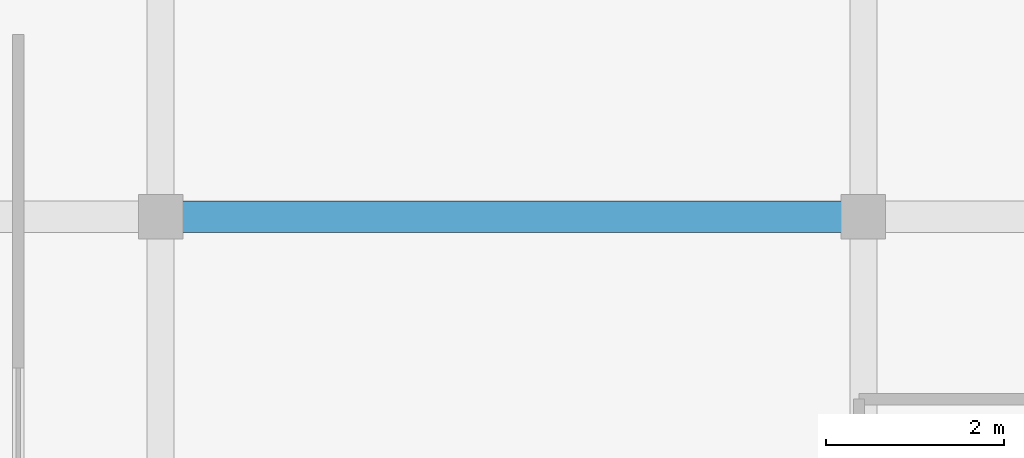
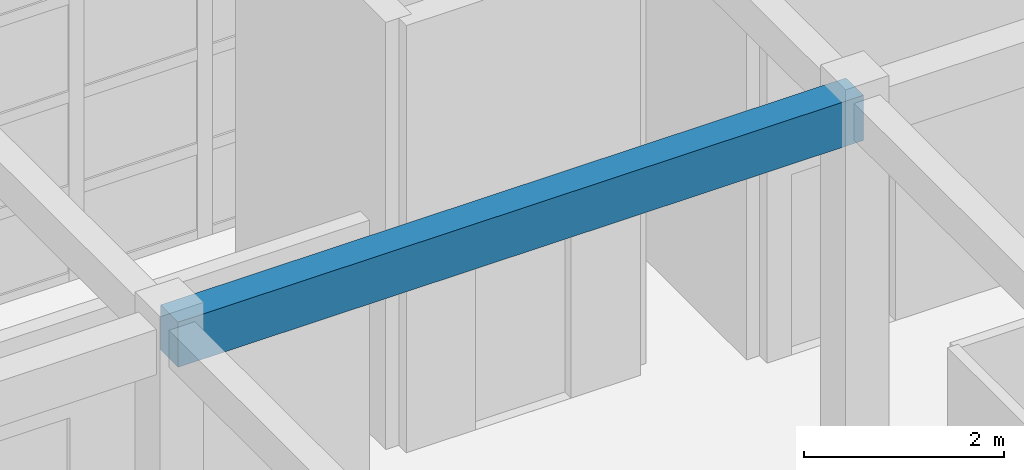
# One storey, part 9 of 103: 1 beam.
"""IFC4 building model written with IfcOpenShell, lengths in metres."""

from ifc_helpers import new_model, si_unit, direction, frame, origin, origin_2d, place, context, subcontext, project, spatial, rectangle, extrude, material, material_profile, profile_set, type_object, element, save


model = new_model("IFC4")

# Units and contexts
model_context = context("Model", 3, precision=1e-05, world=origin(), true_north=direction((0.0, 1.0)))
body_context = subcontext(model_context, "Body", "Model", "MODEL_VIEW")
ifc_project = project(units=[si_unit("LENGTHUNIT", "METRE"), si_unit("AREAUNIT", "SQUARE_METRE"), si_unit("VOLUMEUNIT", "CUBIC_METRE"), si_unit("PLANEANGLEUNIT", "RADIAN"), si_unit("MASSUNIT", "GRAM", prefix="KILO")], contexts=[model_context])

# Site, building, storey
site_placement = place(None, origin())
site = spatial("IfcSite", under=ifc_project, at=site_placement, CompositionType="ELEMENT")
building_placement = place(site_placement, origin())
building = spatial("IfcBuilding", under=site, at=building_placement, Name="Candilejo Ridge Gondola Terminal", CompositionType="ELEMENT")
storey_placement = place(building_placement, frame((0.0, 0.0, 9.0)))
storey = spatial("IfcBuildingStorey", under=building, at=storey_placement, Name="L02", CompositionType="ELEMENT", Elevation=9.0)

# Beam
ifc_material = material(Name="Concrete f'c 35 MPa (C35/45)", Category="concrete")
ifc_material_profile = material_profile(ifc_material, rectangle(XDim=0.35009765625, YDim=0.550048828125, at=origin_2d()))
ifc_profile_set = profile_set([ifc_material_profile], Name="Concrete f'c 35 MPa (C35/45)")
beam_type = type_object("IfcBeamType", Name="STR-BM-RC350X550", PredefinedType="BEAM", material=ifc_profile_set)
beam_placement = place(storey_placement, frame((20.10009765625, 18.25, 4.925048828125), z_axis=(1.0, 0.0, 0.0), x_axis=(0.0, 1.0, 0.0)))
element("IfcBeam", 1, at=beam_placement, inside=storey, type_object=beam_type, Name="Beam X V1 L02 X03-X04@Y03", PredefinedType="BEAM", context=body_context, shape_type="SweptSolid", body=[
    extrude(rectangle(XDim=0.35009765625, YDim=0.550048828125, at=origin_2d()), origin(), (0.0, 0.0, 1.0), 7.89990234375),
])

save(model, "model.ifc")
